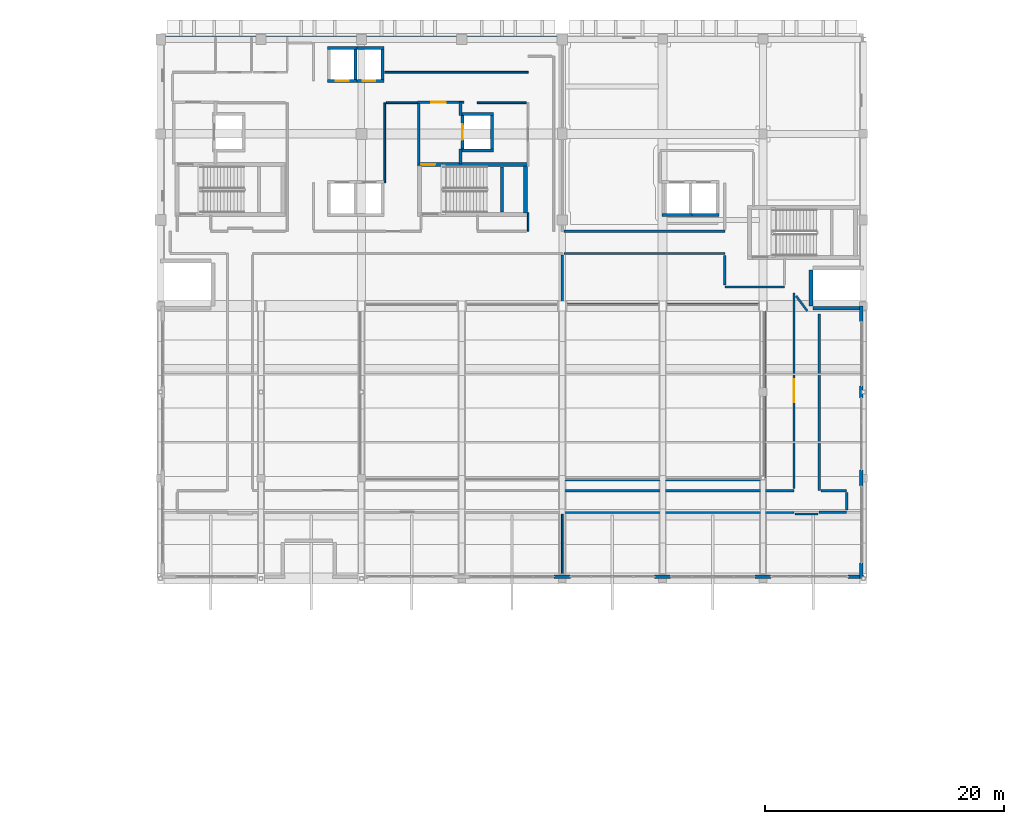
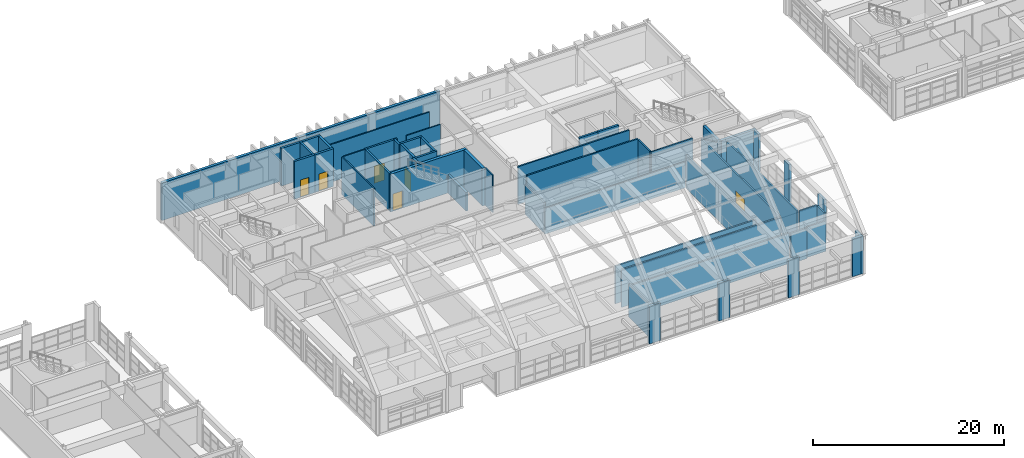
# One storey, part 90 of 103: 53 walls, 6 doors, 6 openings.
"""IFC4 building model written with IfcOpenShell, lengths in metres."""

import ifcopenshell
import ifcopenshell.guid

model = None  # the IFC model being written
_history = None  # IfcOwnerHistory: only IFC2X3 demands one
_inside = {}  # id of a spatial element -> (the spatial element, [elements in it])
_under = {}  # id of a project, library or spatial element -> (it, [spatial elements below it])
_declared = {}  # id of a project -> (the project, [libraries it declares])
_typed = {}  # id of a type object -> (the type object, [elements of that type])
_made_of = {}  # id of a material, layer set ... -> (it, [elements and type objects made of it])


def new_model(schema):
    """Start an empty IFC model of exactly this schema.

    Asked for "IFC4X3", IfcOpenShell would pick the latest addendum, in which some entities
    have other attributes; the version numbers below select the first issue.
    IFC2X3 requires an IfcOwnerHistory on every rooted entity: one is made here for all.
    """
    global model, _history
    if schema == "IFC4X3":
        model = ifcopenshell.file(schema_version=(4, 3, 0, 0))
    else:
        model = ifcopenshell.file(schema=schema)
    _inside.clear()
    _under.clear()
    _declared.clear()
    _typed.clear()
    _made_of.clear()
    _history = None
    if model.schema == "IFC2X3":
        org = make("IfcOrganization", Name="unknown")
        user = make(
            "IfcPersonAndOrganization",
            ThePerson=make("IfcPerson", FamilyName="unknown"),
            TheOrganization=org,
        )
        app = make(
            "IfcApplication",
            ApplicationDeveloper=org,
            Version="unknown",
            ApplicationFullName="unknown",
            ApplicationIdentifier="unknown",
        )
        _history = make(
            "IfcOwnerHistory",
            OwningUser=user,
            OwningApplication=app,
            ChangeAction="ADDED",
            CreationDate=0,
        )
    return model


def make(cls, **values):
    """One entity of the class cls with the attributes given. An attribute that is None is left unset."""
    return model.create_entity(
        cls, **{name: value for name, value in values.items() if value is not None}
    )


def rooted(cls, **values):
    """An entity with a GlobalId (a new one), such as an element, a storey or a relation."""
    return make(cls, GlobalId=ifcopenshell.guid.new(), OwnerHistory=_history, **values)


def si_unit(unit_type, name, prefix=None):
    """IfcSIUnit, for example si_unit("LENGTHUNIT", "METRE", prefix="MILLI")."""
    return make("IfcSIUnit", UnitType=unit_type, Prefix=prefix, Name=name)


def assignment(units):
    """IfcUnitAssignment: the units of a project."""
    return None if units is None else make("IfcUnitAssignment", Units=units)


def point(xyz):
    """IfcCartesianPoint."""
    return None if xyz is None else make("IfcCartesianPoint", Coordinates=xyz)


def direction(xyz):
    """IfcDirection."""
    return None if xyz is None else make("IfcDirection", DirectionRatios=xyz)


def frame(location, z_axis=None, x_axis=None):
    """IfcAxis2Placement3D, a coordinate frame: its origin and axes. An axis left out is left unset."""
    return make(
        "IfcAxis2Placement3D",
        Location=point(location),
        Axis=direction(z_axis),
        RefDirection=direction(x_axis),
    )


def frame_2d(location, x_axis=None):
    """IfcAxis2Placement2D, a coordinate frame in the plane: its origin and x axis."""
    return make(
        "IfcAxis2Placement2D", Location=point(location), RefDirection=direction(x_axis)
    )


def origin():
    """The frame at (0, 0, 0) with its axes left unset."""
    return frame((0.0, 0.0, 0.0))


def place(relative_to, where):
    """IfcLocalPlacement: puts the frame where relative to a parent placement (None: the world)."""
    return make(
        "IfcLocalPlacement", PlacementRelTo=relative_to, RelativePlacement=where
    )


def context(
    kind, dimensions, precision=None, world=None, true_north=None, identifier=None
):
    """IfcGeometricRepresentationContext, for example the 3D "Model" context."""
    return make(
        "IfcGeometricRepresentationContext",
        ContextIdentifier=identifier,
        ContextType=kind,
        CoordinateSpaceDimension=dimensions,
        Precision=precision,
        WorldCoordinateSystem=world,
        TrueNorth=true_north,
    )


def subcontext(parent, identifier, kind, view, scale=None):
    """IfcGeometricRepresentationSubContext, for example "Body" below "Model"."""
    return make(
        "IfcGeometricRepresentationSubContext",
        ContextIdentifier=identifier,
        ContextType=kind,
        ParentContext=parent,
        TargetScale=scale,
        TargetView=view,
    )


def project(units=None, contexts=None):
    """IfcProject with its units and contexts."""
    return rooted(
        "IfcProject",
        Name="project",
        RepresentationContexts=contexts,
        UnitsInContext=assignment(units),
    )


def spatial(cls, under=None, at=None, **own):
    """A site, building, storey or space (cls), placed at a placement, below another one or the project."""
    s = rooted(cls, ObjectPlacement=at, **own)
    if under is not None:
        _under.setdefault(under.id(), (under, []))[1].append(s)
    return s


def profile(cls, at=None, kind="AREA", **sizes):
    """A parametric profile (cls). Its sizes go by their IFC names, for example OverallWidth=200.0."""
    return make(cls, ProfileType=kind, Position=at, **sizes)


def rectangle(**sizes):
    """IfcRectangleProfileDef."""
    return profile("IfcRectangleProfileDef", **sizes)


def extrude(swept, where, along, depth):
    """IfcExtrudedAreaSolid: the profile swept, set in the frame where, extruded along a direction by depth."""
    return make(
        "IfcExtrudedAreaSolid",
        SweptArea=swept,
        Position=where,
        ExtrudedDirection=direction(along),
        Depth=depth,
    )


def shape(context_of_items, identifier, shape_type, items):
    """IfcShapeRepresentation: the items that make up one representation, for example the "Body"."""
    return make(
        "IfcShapeRepresentation",
        ContextOfItems=context_of_items,
        RepresentationIdentifier=identifier,
        RepresentationType=shape_type,
        Items=items,
    )


def material(Name=None, Category=None):
    """IfcMaterial."""
    return make("IfcMaterial", Name=Name, Category=Category)


def layer(
    of_material, thickness, ventilated=None, Name=None, Category=None, Priority=None
):
    """IfcMaterialLayer: one layer of a wall or slab, of a material (None: an air gap)."""
    return make(
        "IfcMaterialLayer",
        Material=of_material,
        LayerThickness=thickness,
        IsVentilated=ventilated,
        Name=Name,
        Category=Category,
        Priority=Priority,
    )


def layer_set(layers, Name=None):
    """IfcMaterialLayerSet."""
    return make("IfcMaterialLayerSet", MaterialLayers=layers, LayerSetName=Name)


def made_of(thing, what):
    """Note that an element or type object is made of a material, layer set ...; save() writes the relation."""
    if what is not None:
        _made_of.setdefault(what.id(), (what, []))[1].append(thing)
    return thing


def type_object(cls, material=None, **own):
    """A type object (cls), such as IfcWallType, which elements share."""
    return made_of(rooted(cls, **own), material)


def element(
    cls,
    number,
    at=None,
    inside=None,
    cuts=None,
    type_object=None,
    material=None,
    context=None,
    identifier="Body",
    shape_type=None,
    held_by="IfcProductDefinitionShape",
    body=None,
    shapes=None,
    **own,
):
    """One element of the class cls, such as IfcWall. Its Tag is "e" and its number.

    at: its placement. inside: the storey or other place that contains it. cuts: it is an
    opening in that element (IfcRelVoidsElement). A single representation is given by context,
    identifier, shape_type and body (its items); several are given by shapes. held_by: the class
    of the entity that holds the representations. save() writes the other relations.
    """
    e = rooted(cls, Tag="e%d" % number, ObjectPlacement=at, **own)
    if body is not None:
        shapes = [shape(context, identifier, shape_type, body)]
    if shapes is not None:
        e.Representation = make(held_by, Representations=shapes)
    if inside is not None:
        _inside.setdefault(inside.id(), (inside, []))[1].append(e)
    if cuts is not None:
        rooted(
            "IfcRelVoidsElement", RelatingBuildingElement=cuts, RelatedOpeningElement=e
        )
    if type_object is not None:
        _typed.setdefault(type_object.id(), (type_object, []))[1].append(e)
    return made_of(e, material)


def fill(opening, filler):
    """IfcRelFillsElement: the door or window that sits in an opening."""
    return rooted(
        "IfcRelFillsElement",
        RelatingOpeningElement=opening,
        RelatedBuildingElement=filler,
    )


def aggregate(whole, parts):
    """IfcRelAggregates: a whole, such as a stair, and the parts it consists of."""
    return rooted("IfcRelAggregates", RelatingObject=whole, RelatedObjects=parts)


def save(model, path):
    """Write the relations noted so far, then the file.

    IfcRelAggregates (storeys below a building ...), IfcRelContainedInSpatialStructure (elements
    in a storey), IfcRelDefinesByType, IfcRelAssociatesMaterial and IfcRelDeclares: one each for
    every whole, place, type object, material and project.
    """
    for whole, parts in _under.values():
        aggregate(whole, parts)
    for where, things in _inside.values():
        rooted(
            "IfcRelContainedInSpatialStructure",
            RelatedElements=things,
            RelatingStructure=where,
        )
    for kind, things in _typed.values():
        rooted("IfcRelDefinesByType", RelatedObjects=things, RelatingType=kind)
    for what, things in _made_of.values():
        rooted("IfcRelAssociatesMaterial", RelatedObjects=things, RelatingMaterial=what)
    for by, libraries in _declared.values():
        rooted("IfcRelDeclares", RelatingContext=by, RelatedDefinitions=libraries)
    model.write(path)


model = new_model("IFC4")

# Units and contexts
model_context = context("Model", 3, precision=1e-05, world=origin(), true_north=direction((0.0, 1.0)))
body_context = subcontext(model_context, "Body", "Model", "MODEL_VIEW")
ifc_project = project(units=[si_unit("LENGTHUNIT", "METRE"), si_unit("AREAUNIT", "SQUARE_METRE"), si_unit("VOLUMEUNIT", "CUBIC_METRE"), si_unit("PLANEANGLEUNIT", "RADIAN"), si_unit("MASSUNIT", "GRAM", prefix="KILO")], contexts=[model_context])

# Site, building, storey
site_placement = place(None, origin())
site = spatial("IfcSite", under=ifc_project, at=site_placement, CompositionType="ELEMENT")
building_placement = place(site_placement, origin())
building = spatial("IfcBuilding", under=site, at=building_placement, Name="Quendrovan Civic Courthouse", CompositionType="ELEMENT")
storey_placement = place(building_placement, frame((0.0, 0.0, 15.300048828125)))
storey = spatial("IfcBuildingStorey", under=building, at=storey_placement, Name="L04", CompositionType="ELEMENT", Elevation=15.300048828125)

# Walls
ifc_material_1 = material(Name="Acoustic gypsum stud partition")
ifc_layer_1 = layer(ifc_material_1, 0.139892578125, Name="Acoustic gypsum stud partition")
ifc_layer_set_1 = layer_set([ifc_layer_1], Name="Acoustic gypsum stud partition")
wall_type_1 = type_object("IfcWallType", Name="WL-CHM-140", PredefinedType="PARTITIONING", material=ifc_layer_set_1)
wall_1_placement = place(storey_placement, frame((64.35009765625, 95.39990234375, 0.0), z_axis=(0.0, 0.0, 1.0), x_axis=(0.0, -1.0, 0.0)))
element("IfcWall", 1, at=wall_1_placement, inside=storey, type_object=wall_type_1, Name="L04 Senior Judges' Chambers Suite Partition 0574", PredefinedType="PARTITIONING", context=body_context, shape_type="SweptSolid", body=[
    extrude(rectangle(XDim=1.5498046875, YDim=0.139892578125, at=frame_2d((0.77490234375, 0.0))), origin(), (0.0, 0.0, 1.0), 4.820068359375),
])
wall_2_placement = place(storey_placement, frame((52.35009765625, 97.89990234375, 0.0), z_axis=(0.0, 0.0, 1.0), x_axis=(0.0, 1.0, 0.0)))
element("IfcWall", 2, at=wall_2_placement, inside=storey, type_object=wall_type_1, Name="L04 Judges' Chambers Suite Partition 0585", PredefinedType="PARTITIONING", context=body_context, shape_type="SweptSolid", body=[
    extrude(rectangle(XDim=6.7001953125, YDim=0.139892578125, at=frame_2d((3.35009765625, 0.0))), origin(), (0.0, 0.0, 1.0), 4.820068359375),
])
wall_3_placement = place(storey_placement, frame((60.10009765625, 104.60009765625, 0.0), z_axis=(0.0, 0.0, 1.0), x_axis=(1.0, 0.0, 0.0)))
element("IfcWall", 3, at=wall_3_placement, inside=storey, type_object=wall_type_1, Name="L04 Senior Judges' Chambers Suite Partition 0604", PredefinedType="PARTITIONING", context=body_context, shape_type="SweptSolid", body=[
    extrude(rectangle(XDim=4.099853515625, YDim=0.139892578125, at=frame_2d((2.0498046875, 0.0))), origin(), (0.0, 0.0, 1.0), 4.820068359375),
])
wall_4_placement = place(storey_placement, frame((52.5, 104.60009765625, 0.0), z_axis=(0.0, 0.0, 1.0), x_axis=(1.0, 0.0, 0.0)))
element("IfcWall", 4, at=wall_4_placement, inside=storey, type_object=wall_type_1, Name="L04 Judges' Chambers Suite Partition 0629", PredefinedType="PARTITIONING", context=body_context, shape_type="SweptSolid", body=[
    extrude(rectangle(XDim=2.580078125, YDim=0.139892578125, at=frame_2d((1.2900390625, 0.0))), origin(), (0.0, 0.0, 1.0), 4.820068359375),
])

# Wall, opening, door
ifc_material_2 = material(Name="Concrete C45/55", Category="concrete")
ifc_layer_2 = layer(ifc_material_2, 0.35009765625, Name="Concrete C45/55")
ifc_layer_set_2 = layer_set([ifc_layer_2], Name="Concrete C45/55")
wall_type_2 = type_object("IfcWallType", Name="WL-CORE-350", PredefinedType="SHEAR", material=ifc_layer_set_2)
wall_5_placement = place(storey_placement, frame((64.31005859375, 99.43505859375, 0.0), z_axis=(0.0, 0.0, 1.0), x_axis=(-1.0, 0.0, 0.0)))
wall_5 = element("IfcWall", 5, at=wall_5_placement, inside=storey, type_object=wall_type_2, Name="L04 Core Shear Wall ST2-N", PredefinedType="SHEAR", context=body_context, shape_type="SweptSolid", body=[
    extrude(rectangle(XDim=9.219970703125, YDim=0.35009765625, at=frame_2d((4.60986328125, 0.0))), origin(), (0.0, 0.0, 1.0), 4.820068359375),
])
opening_1_placement = place(wall_5_placement, frame((7.719970703125, 0.0, 0.0)))
opening_1 = element("IfcOpeningElement", 6, at=opening_1_placement, cuts=wall_5, Name="Opening DFF-ST2-L04", PredefinedType="OPENING", context=body_context, shape_type="SweptSolid", body=[
    extrude(rectangle(XDim=1.199951171875, YDim=2.199951171875, at=frame_2d((0.60009765625, 1.10009765625))), frame((0.0, 0.18505859375, 0.0), z_axis=(0.0, -1.0, 0.0), x_axis=(1.0, 0.0, 0.0)), (0.0, 0.0, 1.0), 0.3701171875),
])
ifc_material_3 = material(Name="Painted galvanized hollow-metal steel", Category="steel")
door_type_1 = type_object("IfcDoorType", Name="DR-FFLOB-1200", OperationType="NOTDEFINED", PredefinedType="DOOR", material=ifc_material_3)
door_1_placement = place(opening_1_placement, origin())
door_1 = element("IfcDoor", 7, at=door_1_placement, inside=storey, type_object=door_type_1, Name="L04 Firefighting Lobby FL2 Direct Stair ST2 Door", OperationType="SINGLE_SWING_RIGHT", OverallHeight=2.199951171875, OverallWidth=1.199951171875, PredefinedType="DOOR", context=body_context, shape_type="SweptSolid", body=[
    extrude(rectangle(XDim=1.199951171875, YDim=2.199951171875, at=frame_2d((0.60009765625, 1.10009765625))), frame((0.0, 0.02490234375, 0.0), z_axis=(0.0, -1.0, 0.0), x_axis=(1.0, 0.0, 0.0)), (0.0, 0.0, 1.0), 0.050048828125),
])
fill(opening_1, door_1)

# Walls
wall_6_placement = place(storey_placement, frame((64.135009765625, 99.300048828125, 0.0), z_axis=(0.0, 0.0, 1.0), x_axis=(0.0, -1.0, 0.0)))
element("IfcWall", 8, at=wall_6_placement, inside=storey, type_object=wall_type_2, Name="L04 Core Shear Wall ST2-E", PredefinedType="SHEAR", context=body_context, shape_type="SweptSolid", body=[
    extrude(rectangle(XDim=3.900146484375, YDim=0.35009765625, at=frame_2d((1.9501953125, 0.0))), origin(), (0.0, 0.0, 1.0), 4.820068359375),
])
ifc_material_4 = material(Name="Acoustic gypsum and mineral wool partition")
ifc_layer_3 = layer(ifc_material_4, 0.179931640625, Name="Acoustic gypsum and mineral wool partition")
ifc_layer_set_3 = layer_set([ifc_layer_3], Name="Acoustic gypsum and mineral wool partition")
wall_type_3 = type_object("IfcWallType", Name="WL-CRT-AC180", PredefinedType="PARTITIONING", material=ifc_layer_set_3)
wall_7_placement = place(storey_placement, frame((67.35498046875, 70.35009765625, 0.0), z_axis=(0.0, 0.0, 1.0), x_axis=(1.0, 0.0, 0.0)))
element("IfcWall", 9, at=wall_7_placement, inside=storey, type_object=wall_type_3, Name="L04 Trial Courtroom Partition 0551", PredefinedType="PARTITIONING", context=body_context, shape_type="SweptSolid", body=[
    extrude(rectangle(XDim=19.2451171875, YDim=0.179931640625, at=frame_2d((9.62255859375, 0.0))), origin(), (0.0, 0.0, 1.0), 3.889892578125),
])
wall_8_placement = place(storey_placement, frame((86.60009765625, 72.14990234375, 0.0), z_axis=(0.0, 0.0, 1.0), x_axis=(-1.0, 0.0, 0.0)))
element("IfcWall", 10, at=wall_8_placement, inside=storey, type_object=wall_type_3, Name="L04 Trial Courtroom Partition 0552", PredefinedType="PARTITIONING", context=body_context, shape_type="SweptSolid", body=[
    extrude(rectangle(XDim=19.255126953125, YDim=0.179931640625, at=frame_2d((9.62744140625, 0.0))), origin(), (0.0, 0.0, 1.0), 4.820068359375),
])
wall_9_placement = place(storey_placement, frame((67.10009765625, 73.0400390625, 0.0), z_axis=(0.0, 0.0, 1.0), x_axis=(1.0, 0.0, 0.0)))
element("IfcWall", 11, at=wall_9_placement, inside=storey, type_object=wall_type_3, Name="L04 Trial Courtroom Partition 0556", PredefinedType="PARTITIONING", context=body_context, shape_type="SweptSolid", body=[
    extrude(rectangle(XDim=17.0, YDim=0.179931640625, at=frame_2d((8.5, 0.0))), origin(), (0.0, 0.0, 1.0), 4.820068359375),
])
wall_10_placement = place(storey_placement, frame((84.10009765625, 87.760009765625, 0.0), z_axis=(0.0, 0.0, 1.0), x_axis=(-1.0, 0.0, 0.0)))
element("IfcWall", 12, at=wall_10_placement, inside=storey, type_object=wall_type_3, Name="L04 Trial Courtroom Partition 0557", PredefinedType="PARTITIONING", context=body_context, shape_type="SweptSolid", body=[
    extrude(rectangle(XDim=17.0, YDim=0.179931640625, at=frame_2d((8.5, 0.0))), origin(), (0.0, 0.0, 1.0), 3.2900390625),
])

# Wall, opening, door
wall_11_placement = place(storey_placement, frame((86.60009765625, 88.669921875, 0.0), z_axis=(0.0, 0.0, 1.0), x_axis=(0.0, -1.0, 0.0)))
wall_11 = element("IfcWall", 13, at=wall_11_placement, inside=storey, type_object=wall_type_3, Name="L04 Trial Courtroom Partition 0561", PredefinedType="PARTITIONING", context=body_context, shape_type="SweptSolid", body=[
    extrude(rectangle(XDim=16.349853515625, YDim=0.179931640625, at=frame_2d((8.1748046875, 0.0))), origin(), (0.0, 0.0, 1.0), 4.820068359375),
])
opening_2_placement = place(wall_11_placement, frame((7.215087890625, 0.0, 0.0)))
opening_2 = element("IfcOpeningElement", 14, at=opening_2_placement, cuts=wall_11, Name="Opening D-L04-082", PredefinedType="OPENING", context=body_context, shape_type="SweptSolid", body=[
    extrude(rectangle(XDim=1.919921875, YDim=2.550048828125, at=frame_2d((0.9599609375, 1.27490234375))), frame((0.0, 0.10009765625, 0.0), z_axis=(0.0, -1.0, 0.0), x_axis=(1.0, 0.0, 0.0)), (0.0, 0.0, 1.0), 0.199951171875),
])
ifc_material_5 = material(Name="Acoustic solid Western Red Cedar timber door", Category="wood")
door_type_2 = type_object("IfcDoorType", Name="DR-CRT-DBL1920", OperationType="NOTDEFINED", PredefinedType="DOOR", material=ifc_material_5)
door_2_placement = place(opening_2_placement, origin())
door_2 = element("IfcDoor", 15, at=door_2_placement, inside=storey, type_object=door_type_2, Name="L04 Trial Courtroom Door D-L04-082", OperationType="SINGLE_SWING_LEFT", OverallHeight=2.550048828125, OverallWidth=1.919921875, PredefinedType="DOOR", context=body_context, shape_type="SweptSolid", body=[
    extrude(rectangle(XDim=1.919921875, YDim=2.550048828125, at=frame_2d((0.9599609375, 1.27490234375))), frame((0.0, 0.02490234375, 0.0), z_axis=(0.0, -1.0, 0.0), x_axis=(1.0, 0.0, 0.0)), (0.0, 0.0, 1.0), 0.050048828125),
])
fill(opening_2, door_2)

# Walls
wall_12_placement = place(storey_placement, frame((88.699951171875, 72.14990234375, 0.0), z_axis=(0.0, 0.0, 1.0), x_axis=(0.0, 1.0, 0.0)))
element("IfcWall", 16, at=wall_12_placement, inside=storey, type_object=wall_type_3, Name="L04 Trial Courtroom Partition 0564", PredefinedType="PARTITIONING", context=body_context, shape_type="SweptSolid", body=[
    extrude(rectangle(XDim=14.780029296875, YDim=0.179931640625, at=frame_2d((7.39013671875, 0.0))), origin(), (0.0, 0.0, 1.0), 4.820068359375),
])
wall_13_placement = place(storey_placement, frame((84.159912109375, 73.198974609375, 0.0), z_axis=(0.0, 0.0, 1.0), x_axis=(0.0, 1.0, 0.0)))
element("IfcWall", 17, at=wall_13_placement, inside=storey, type_object=wall_type_3, Name="L04 Trial Courtroom Partition 0566", PredefinedType="PARTITIONING", context=body_context, shape_type="SweptSolid", body=[
    extrude(rectangle(XDim=14.402099609375, YDim=0.179931640625, at=frame_2d((7.201171875, 0.0))), origin(), (0.0, 0.0, 1.0), 4.239990234375),
])
wall_14_placement = place(storey_placement, frame((67.344970703125, 92.0, 0.0), z_axis=(0.0, 0.0, 1.0), x_axis=(1.0, 0.0, 0.0)))
element("IfcWall", 18, at=wall_14_placement, inside=storey, type_object=wall_type_3, Name="L04 Trial Courtroom Partition 0568", PredefinedType="PARTITIONING", context=body_context, shape_type="SweptSolid", body=[
    extrude(rectangle(XDim=13.455078125, YDim=0.179931640625, at=frame_2d((6.7275390625, 0.0))), origin(), (0.0, 0.0, 1.0), 4.820068359375),
])
wall_15_placement = place(storey_placement, frame((80.800048828125, 93.85009765625, 0.0), z_axis=(0.0, 0.0, 1.0), x_axis=(-1.0, 0.0, 0.0)))
element("IfcWall", 19, at=wall_15_placement, inside=storey, type_object=wall_type_3, Name="L04 Trial Courtroom Partition 0569", PredefinedType="PARTITIONING", context=body_context, shape_type="SweptSolid", body=[
    extrude(rectangle(XDim=13.445068359375, YDim=0.179931640625, at=frame_2d((6.72265625, 0.0))), origin(), (0.0, 0.0, 1.0), 4.820068359375),
])
wall_16_placement = place(storey_placement, frame((80.800048828125, 89.199951171875, 0.0), z_axis=(0.0, 0.0, 1.0), x_axis=(1.0, 0.0, 0.0)))
element("IfcWall", 20, at=wall_16_placement, inside=storey, type_object=wall_type_3, Name="L04 Trial Courtroom Partition 0597", PredefinedType="PARTITIONING", context=body_context, shape_type="SweptSolid", body=[
    extrude(rectangle(XDim=5.0, YDim=0.179931640625, at=frame_2d((2.5, 0.0))), origin(), (0.0, 0.0, 1.0), 4.820068359375),
])
wall_17_placement = place(storey_placement, frame((67.199951171875, 87.929931640625, 0.0), z_axis=(0.0, 0.0, 1.0), x_axis=(0.0, 1.0, 0.0)))
element("IfcWall", 21, at=wall_17_placement, inside=storey, type_object=wall_type_3, Name="L04 Trial Courtroom Partition 0602", PredefinedType="PARTITIONING", context=body_context, shape_type="SweptSolid", body=[
    extrude(rectangle(XDim=3.925048828125, YDim=0.179931640625, at=frame_2d((1.96240234375, 0.0))), origin(), (0.0, 0.0, 1.0), 3.849853515625),
])
wall_18_placement = place(storey_placement, frame((80.800048828125, 91.830078125, 0.0), z_axis=(0.0, 0.0, 1.0), x_axis=(0.0, -1.0, 0.0)))
element("IfcWall", 22, at=wall_18_placement, inside=storey, type_object=wall_type_3, Name="L04 Trial Courtroom Partition 0626", PredefinedType="PARTITIONING", context=body_context, shape_type="SweptSolid", body=[
    extrude(rectangle(XDim=2.4599609375, YDim=0.179931640625, at=frame_2d((1.22998046875, 0.0))), origin(), (0.0, 0.0, 1.0), 4.820068359375),
])
wall_19_placement = place(storey_placement, frame((88.699951171875, 70.35009765625, 0.0), z_axis=(0.0, 0.0, 1.0), x_axis=(1.0, 0.0, 0.0)))
element("IfcWall", 23, at=wall_19_placement, inside=storey, type_object=wall_type_3, Name="L04 Trial Courtroom Partition 0634", PredefinedType="PARTITIONING", context=body_context, shape_type="SweptSolid", body=[
    extrude(rectangle(XDim=2.300048828125, YDim=0.179931640625, at=frame_2d((1.14990234375, 0.0))), origin(), (0.0, 0.0, 1.0), 3.889892578125),
])
wall_20_placement = place(storey_placement, frame((91.0, 72.14990234375, 0.0), z_axis=(0.0, 0.0, 1.0), x_axis=(-1.0, 0.0, 0.0)))
element("IfcWall", 24, at=wall_20_placement, inside=storey, type_object=wall_type_3, Name="L04 Trial Courtroom Partition 0635", PredefinedType="PARTITIONING", context=body_context, shape_type="SweptSolid", body=[
    extrude(rectangle(XDim=2.1298828125, YDim=0.179931640625, at=frame_2d((1.06494140625, 0.0))), origin(), (0.0, 0.0, 1.0), 4.820068359375),
])
wall_21_placement = place(storey_placement, frame((86.679931640625, 70.199951171875, 0.0), z_axis=(0.0, 0.0, 1.0), x_axis=(1.0, 0.0, 0.0)))
element("IfcWall", 25, at=wall_21_placement, inside=storey, type_object=wall_type_3, Name="L04 Trial Courtroom Partition 0641", PredefinedType="PARTITIONING", context=body_context, shape_type="SweptSolid", body=[
    extrude(rectangle(XDim=1.940185546875, YDim=0.179931640625, at=frame_2d((0.97021484375, 0.0))), origin(), (0.0, 0.0, 1.0), 3.889892578125),
])
wall_22_placement = place(storey_placement, frame((87.699951171875, 87.18994140625, 0.0), z_axis=(0.0, 0.0, 1.0), x_axis=(-0.596436431058, 0.802660316514, 0.0)))
element("IfcWall", 26, at=wall_22_placement, inside=storey, type_object=wall_type_3, Name="L04 Trial Courtroom Partition 0649", PredefinedType="PARTITIONING", context=body_context, shape_type="SweptSolid", body=[
    extrude(rectangle(XDim=1.55908203125, YDim=0.179931640625, at=frame_2d((0.779541015625, 0.0))), origin(), (0.0, 0.0, 1.0), 4.820068359375),
])
wall_23_placement = place(storey_placement, frame((91.0, 70.52001953125, 0.0), z_axis=(0.0, 0.0, 1.0), x_axis=(0.0, 1.0, 0.0)))
element("IfcWall", 27, at=wall_23_placement, inside=storey, type_object=wall_type_3, Name="L04 Trial Courtroom Partition 0651", PredefinedType="PARTITIONING", context=body_context, shape_type="SweptSolid", body=[
    extrude(rectangle(XDim=1.4599609375, YDim=0.179931640625, at=frame_2d((0.72998046875, 0.0))), origin(), (0.0, 0.0, 1.0), 4.820068359375),
])
ifc_material_6 = material(Name="Precast concrete C45/55", Category="concrete")
ifc_layer_4 = layer(ifc_material_6, 0.2900390625, Name="Precast concrete C45/55")
ifc_layer_set_4 = layer_set([ifc_layer_4], Name="Precast concrete C45/55")
wall_type_4 = type_object("IfcWallType", Name="WL-EXT-PC290", PredefinedType="SOLIDWALL", material=ifc_layer_set_4)
wall_24_placement = place(storey_placement, frame((92.235107421875, 87.60009765625, 0.0), z_axis=(0.0, 0.0, 1.0), x_axis=(0.0, -1.0, 0.0)))
element("IfcWall", 28, at=wall_24_placement, inside=storey, type_object=wall_type_4, Name="L04 Exterior Pier Wall 369", PredefinedType="SOLIDWALL", context=body_context, shape_type="SweptSolid", body=[
    extrude(rectangle(XDim=1.300048828125, YDim=0.2900390625, at=frame_2d((0.64990234375, 0.0))), origin(), (0.0, 0.0, 1.0), 4.820068359375),
])
wall_25_placement = place(storey_placement, frame((92.235107421875, 80.89990234375, 0.0), z_axis=(0.0, 0.0, 1.0), x_axis=(0.0, -1.0, 0.0)))
element("IfcWall", 29, at=wall_25_placement, inside=storey, type_object=wall_type_4, Name="L04 Exterior Pier Wall 370", PredefinedType="SOLIDWALL", context=body_context, shape_type="SweptSolid", body=[
    extrude(rectangle(XDim=1.0, YDim=0.2900390625, at=frame_2d((0.5, 0.0))), origin(), (0.0, 0.0, 1.0), 4.820068359375),
])
wall_26_placement = place(storey_placement, frame((92.235107421875, 73.875, 0.0), z_axis=(0.0, 0.0, 1.0), x_axis=(0.0, -1.0, 0.0)))
element("IfcWall", 30, at=wall_26_placement, inside=storey, type_object=wall_type_4, Name="L04 Exterior Pier Wall 371", PredefinedType="SOLIDWALL", context=body_context, shape_type="SweptSolid", body=[
    extrude(rectangle(XDim=1.35009765625, YDim=0.2900390625, at=frame_2d((0.675048828125, 0.0))), origin(), (0.0, 0.0, 1.0), 4.820068359375),
])
wall_27_placement = place(storey_placement, frame((92.235107421875, 66.10009765625, 0.0), z_axis=(0.0, 0.0, 1.0), x_axis=(0.0, -1.0, 0.0)))
element("IfcWall", 31, at=wall_27_placement, inside=storey, type_object=wall_type_4, Name="L04 Exterior Pier Wall 372", PredefinedType="SOLIDWALL", context=body_context, shape_type="SweptSolid", body=[
    extrude(rectangle(XDim=1.300048828125, YDim=0.2900390625, at=frame_2d((0.64990234375, 0.0))), origin(), (0.0, 0.0, 1.0), 4.820068359375),
])
wall_28_placement = place(storey_placement, frame((92.39990234375, 64.965087890625, 0.0), z_axis=(0.0, 0.0, 1.0), x_axis=(-1.0, 0.0, 0.0)))
element("IfcWall", 32, at=wall_28_placement, inside=storey, type_object=wall_type_4, Name="L04 Exterior Pier Wall 373", PredefinedType="SOLIDWALL", context=body_context, shape_type="SweptSolid", body=[
    extrude(rectangle(XDim=1.2998046875, YDim=0.2900390625, at=frame_2d((0.64990234375, 0.0))), origin(), (0.0, 0.0, 1.0), 4.820068359375),
])
wall_29_placement = place(storey_placement, frame((84.675048828125, 64.965087890625, 0.0), z_axis=(0.0, 0.0, 1.0), x_axis=(-1.0, 0.0, 0.0)))
element("IfcWall", 33, at=wall_29_placement, inside=storey, type_object=wall_type_4, Name="L04 Exterior Pier Wall 374", PredefinedType="SOLIDWALL", context=body_context, shape_type="SweptSolid", body=[
    extrude(rectangle(XDim=1.35009765625, YDim=0.2900390625, at=frame_2d((0.675048828125, 0.0))), origin(), (0.0, 0.0, 1.0), 4.820068359375),
])
wall_30_placement = place(storey_placement, frame((76.27490234375, 64.965087890625, 0.0), z_axis=(0.0, 0.0, 1.0), x_axis=(-1.0, 0.0, 0.0)))
element("IfcWall", 34, at=wall_30_placement, inside=storey, type_object=wall_type_4, Name="L04 Exterior Pier Wall 375", PredefinedType="SOLIDWALL", context=body_context, shape_type="SweptSolid", body=[
    extrude(rectangle(XDim=1.349853515625, YDim=0.2900390625, at=frame_2d((0.6748046875, 0.0))), origin(), (0.0, 0.0, 1.0), 4.820068359375),
])
wall_31_placement = place(storey_placement, frame((67.875, 64.965087890625, 0.0), z_axis=(0.0, 0.0, 1.0), x_axis=(-1.0, 0.0, 0.0)))
element("IfcWall", 35, at=wall_31_placement, inside=storey, type_object=wall_type_4, Name="L04 Exterior Pier Wall 376", PredefinedType="SOLIDWALL", context=body_context, shape_type="SweptSolid", body=[
    extrude(rectangle(XDim=1.35009765625, YDim=0.2900390625, at=frame_2d((0.675048828125, 0.0))), origin(), (0.0, 0.0, 1.0), 4.820068359375),
])
ifc_layer_5 = layer(ifc_material_6, 0.320068359375, Name="Precast concrete C45/55")
ifc_layer_set_5 = layer_set([ifc_layer_5], Name="Precast concrete C45/55")
wall_type_5 = type_object("IfcWallType", Name="WL-EXT-PC320", PredefinedType="SOLIDWALL", material=ifc_layer_set_5)
wall_32_placement = place(storey_placement, frame((33.60009765625, 110.02001953125, 0.0), z_axis=(0.0, 0.0, 1.0), x_axis=(1.0, 0.0, 0.0)))
element("IfcWall", 36, at=wall_32_placement, inside=storey, type_object=wall_type_5, Name="L04 Exterior Precast Concrete Wall 363", PredefinedType="SOLIDWALL", context=body_context, shape_type="SweptSolid", body=[
    extrude(rectangle(XDim=33.599853515625, YDim=0.320068359375, at=frame_2d((16.7998046875, 0.0))), origin(), (0.0, 0.0, 1.0), 4.820068359375),
])
wall_33_placement = place(storey_placement, frame((88.02001953125, 90.60009765625, 0.0), z_axis=(0.0, 0.0, 1.0), x_axis=(0.0, -1.0, 0.0)))
element("IfcWall", 37, at=wall_33_placement, inside=storey, type_object=wall_type_5, Name="L04 Exterior Precast Concrete Wall 367", PredefinedType="SOLIDWALL", context=body_context, shape_type="SweptSolid", body=[
    extrude(rectangle(XDim=3.0, YDim=0.320068359375, at=frame_2d((1.5, 0.0))), origin(), (0.0, 0.0, 1.0), 4.820068359375),
])
wall_34_placement = place(storey_placement, frame((88.199951171875, 87.419921875, 0.0), z_axis=(0.0, 0.0, 1.0), x_axis=(1.0, 0.0, 0.0)))
element("IfcWall", 38, at=wall_34_placement, inside=storey, type_object=wall_type_5, Name="L04 Exterior Precast Concrete Wall 368", PredefinedType="SOLIDWALL", context=body_context, shape_type="SweptSolid", body=[
    extrude(rectangle(XDim=4.199951171875, YDim=0.320068359375, at=frame_2d((2.10009765625, 0.0))), origin(), (0.0, 0.0, 1.0), 4.820068359375),
])

# Wall, opening, door
ifc_material_7 = material(Name="Concrete C40/50", Category="concrete")
ifc_layer_6 = layer(ifc_material_7, 0.22998046875, Name="Concrete C40/50")
ifc_layer_set_6 = layer_set([ifc_layer_6], Name="Concrete C40/50")
wall_type_6 = type_object("IfcWallType", Name="WL-FFLOB-230", PredefinedType="PARTITIONING", material=ifc_layer_set_6)
wall_35_placement = place(storey_placement, frame((55.090087890625, 104.64990234375, 0.0), z_axis=(0.0, 0.0, 1.0), x_axis=(1.0, 0.0, 0.0)))
wall_35 = element("IfcWall", 39, at=wall_35_placement, inside=storey, type_object=wall_type_6, Name="L04 Firefighting Lift Lobby FL2 Wall N", PredefinedType="PARTITIONING", context=body_context, shape_type="SweptSolid", body=[
    extrude(rectangle(XDim=3.889892578125, YDim=0.22998046875, at=frame_2d((1.94482421875, 0.0))), origin(), (0.0, 0.0, 1.0), 4.820068359375),
])
opening_3_placement = place(wall_35_placement, frame((1.14990234375, 0.0, 0.0)))
opening_3 = element("IfcOpeningElement", 40, at=opening_3_placement, cuts=wall_35, Name="Opening DF-FL2-L04N", PredefinedType="OPENING", context=body_context, shape_type="SweptSolid", body=[
    extrude(rectangle(XDim=1.199951171875, YDim=2.199951171875, at=frame_2d((0.60009765625, 1.10009765625))), frame((0.0, 0.125, 0.0), z_axis=(0.0, -1.0, 0.0), x_axis=(1.0, 0.0, 0.0)), (0.0, 0.0, 1.0), 0.25),
])
door_3_placement = place(opening_3_placement, origin())
door_3 = element("IfcDoor", 41, at=door_3_placement, inside=storey, type_object=door_type_1, Name="L04 Firefighting Lobby FL2 Fire Door N", OperationType="SINGLE_SWING_LEFT", OverallHeight=2.199951171875, OverallWidth=1.199951171875, PredefinedType="DOOR", context=body_context, shape_type="SweptSolid", body=[
    extrude(rectangle(XDim=1.199951171875, YDim=2.199951171875, at=frame_2d((0.60009765625, 1.10009765625))), frame((0.0, 0.02490234375, 0.0), z_axis=(0.0, -1.0, 0.0), x_axis=(1.0, 0.0, 0.0)), (0.0, 0.0, 1.0), 0.050048828125),
])
fill(opening_3, door_3)

# Walls
wall_36_placement = place(storey_placement, frame((55.199951171875, 99.5, 0.0), z_axis=(0.0, 0.0, 1.0), x_axis=(0.0, 1.0, 0.0)))
element("IfcWall", 42, at=wall_36_placement, inside=storey, type_object=wall_type_6, Name="L04 Firefighting Lift Lobby FL2 Wall W", PredefinedType="PARTITIONING", context=body_context, shape_type="SweptSolid", body=[
    extrude(rectangle(XDim=5.260009765625, YDim=0.22998046875, at=frame_2d((2.6298828125, 0.0))), origin(), (0.0, 0.0, 1.0), 4.820068359375),
])
wall_37_placement = place(storey_placement, frame((58.699951171875, 104.64990234375, 0.0), z_axis=(0.0, 0.0, 1.0), x_axis=(0.0, -1.0, 0.0)))
element("IfcWall", 43, at=wall_37_placement, inside=storey, type_object=wall_type_6, Name="L04 Firefighting Lift Lobby FL2 Wall EN", PredefinedType="PARTITIONING", context=body_context, shape_type="SweptSolid", body=[
    extrude(rectangle(XDim=1.099853515625, YDim=0.22998046875, at=frame_2d((0.5498046875, 0.0))), origin(), (0.0, 0.0, 1.0), 4.820068359375),
])
wall_38_placement = place(storey_placement, frame((58.699951171875, 100.75, 0.0), z_axis=(0.0, 0.0, 1.0), x_axis=(0.0, -1.0, 0.0)))
element("IfcWall", 44, at=wall_38_placement, inside=storey, type_object=wall_type_6, Name="L04 Firefighting Lift Lobby FL2 Wall ES", PredefinedType="PARTITIONING", context=body_context, shape_type="SweptSolid", body=[
    extrude(rectangle(XDim=1.25, YDim=0.22998046875, at=frame_2d((0.625, 0.0))), origin(), (0.0, 0.0, 1.0), 4.820068359375),
])
ifc_layer_7 = layer(ifc_material_1, 0.14990234375, Name="Acoustic gypsum stud partition")
ifc_layer_set_7 = layer_set([ifc_layer_7], Name="Acoustic gypsum stud partition")
wall_type_7 = type_object("IfcWallType", Name="WL-JURY-150", PredefinedType="PARTITIONING", material=ifc_layer_set_7)
wall_39_placement = place(storey_placement, frame((64.35009765625, 107.14990234375, 0.0), z_axis=(0.0, 0.0, 1.0), x_axis=(-1.0, 0.0, 0.0)))
element("IfcWall", 45, at=wall_39_placement, inside=storey, type_object=wall_type_7, Name="L04 Jury Room Partition 0570", PredefinedType="PARTITIONING", context=body_context, shape_type="SweptSolid", body=[
    extrude(rectangle(XDim=12.0, YDim=0.14990234375, at=frame_2d((6.0, 0.0))), origin(), (0.0, 0.0, 1.0), 4.820068359375),
])
wall_40_placement = place(storey_placement, frame((67.199951171875, 70.195068359375, 0.0), z_axis=(0.0, 0.0, 1.0), x_axis=(0.0, -1.0, 0.0)))
element("IfcWall", 46, at=wall_40_placement, inside=storey, type_object=wall_type_7, Name="L04 Jury Room Partition 0592", PredefinedType="PARTITIONING", context=body_context, shape_type="SweptSolid", body=[
    extrude(rectangle(XDim=5.3349609375, YDim=0.14990234375, at=frame_2d((2.66748046875, 0.0))), origin(), (0.0, 0.0, 1.0), 4.239990234375),
])
ifc_layer_8 = layer(ifc_material_2, 0.25, Name="Concrete C45/55")
ifc_layer_set_8 = layer_set([ifc_layer_8], Name="Concrete C45/55")
wall_type_8 = type_object("IfcWallType", Name="WL-SHAFT-250", PredefinedType="SHEAR", material=ifc_layer_set_8)
wall_41_placement = place(storey_placement, frame((62.14990234375, 95.449951171875, 0.0), z_axis=(0.0, 0.0, 1.0), x_axis=(0.0, 1.0, 0.0)))
element("IfcWall", 47, at=wall_41_placement, inside=storey, type_object=wall_type_8, Name="L04 Stair ST2 Mid-Landing Bearing Wall", PredefinedType="SHEAR", context=body_context, shape_type="SweptSolid", body=[
    extrude(rectangle(XDim=3.800048828125, YDim=0.25, at=frame_2d((1.89990234375, 0.0))), origin(), (0.0, 0.0, 1.0), 2.369873046875),
])
for number, where, z_axis, x_axis, name in (
    (48, (75.550048828125, 95.22509765625, 0.0), (0.0, 0.0, 1.0), (1.0, 0.0, 0.0), "L04 Lift Hoistway Wall PL1 -Y"),
    (49, (77.800048828125, 95.22509765625, 0.0), (0.0, 0.0, 1.0), (1.0, 0.0, 0.0), "L04 Lift Hoistway Wall PL2 -Y"),
):
    element("IfcWall", number, at=place(storey_placement, frame(where, z_axis=z_axis, x_axis=x_axis)), inside=storey, type_object=wall_type_8, Name=name, PredefinedType="SHEAR", context=body_context, shape_type="SweptSolid", body=[
        extrude(rectangle(XDim=2.5, YDim=0.25, at=frame_2d((1.25, 0.0))), origin(), (0.0, 0.0, 1.0), 4.820068359375),
    ])

# Wall, opening, door
wall_42_placement = place(storey_placement, frame((47.550048828125, 106.425048828125, 0.0), z_axis=(0.0, 0.0, 1.0), x_axis=(1.0, 0.0, 0.0)))
wall_42 = element("IfcWall", 50, at=wall_42_placement, inside=storey, type_object=wall_type_8, Name="L04 Lift Hoistway Wall JL1 -Y", PredefinedType="SHEAR", context=body_context, shape_type="SweptSolid", body=[
    extrude(rectangle(XDim=2.5, YDim=0.25, at=frame_2d((1.25, 0.0))), origin(), (0.0, 0.0, 1.0), 4.820068359375),
])
opening_4_placement = place(wall_42_placement, frame((0.719970703125, 0.0, 0.0)))
opening_4 = element("IfcOpeningElement", 51, at=opening_4_placement, cuts=wall_42, Name="Opening LD-JL1-L04", PredefinedType="OPENING", context=body_context, shape_type="SweptSolid", body=[
    extrude(rectangle(XDim=1.06005859375, YDim=2.199951171875, at=frame_2d((0.530029296875, 1.10009765625))), frame((0.0, 0.135009765625, 0.0), z_axis=(0.0, -1.0, 0.0), x_axis=(1.0, 0.0, 0.0)), (0.0, 0.0, 1.0), 0.27001953125),
])
ifc_material_8 = material(Name="Brushed bronze-anodised stainless steel", Category="steel")
door_type_3 = type_object("IfcDoorType", Name="DR-LIFT-LD-JL", OperationType="NOTDEFINED", PredefinedType="DOOR", material=ifc_material_8)
door_4_placement = place(opening_4_placement, origin())
door_4 = element("IfcDoor", 52, at=door_4_placement, inside=storey, type_object=door_type_3, Name="L04 Lift JL1 Sliding Landing Door", OperationType="SLIDING_TO_LEFT", OverallHeight=2.199951171875, OverallWidth=1.06005859375, PredefinedType="DOOR", context=body_context, shape_type="SweptSolid", body=[
    extrude(rectangle(XDim=1.06005859375, YDim=2.199951171875, at=frame_2d((0.530029296875, 1.10009765625))), frame((0.0, 0.02490234375, 0.0), z_axis=(0.0, -1.0, 0.0), x_axis=(1.0, 0.0, 0.0)), (0.0, 0.0, 1.0), 0.050048828125),
])
fill(opening_4, door_4)

# Walls
for number, where, z_axis, x_axis, name in (
    (53, (50.050048828125, 109.175048828125, 0.0), (0.0, 0.0, 1.0), (-1.0, 0.0, 0.0), "L04 Lift Hoistway Wall JL1 +Y"),
    (54, (49.925048828125, 109.050048828125, 0.0), (0.0, 0.0, 1.0), (0.0, -1.0, 0.0), "L04 Lift Hoistway Wall JL1 +X"),
):
    element("IfcWall", number, at=place(storey_placement, frame(where, z_axis=z_axis, x_axis=x_axis)), inside=storey, type_object=wall_type_8, Name=name, PredefinedType="SHEAR", context=body_context, shape_type="SweptSolid", body=[
        extrude(rectangle(XDim=2.5, YDim=0.25, at=frame_2d((1.25, 0.0))), origin(), (0.0, 0.0, 1.0), 4.820068359375),
    ])

# Wall, opening, door
wall_43_placement = place(storey_placement, frame((49.800048828125, 106.425048828125, 0.0), z_axis=(0.0, 0.0, 1.0), x_axis=(1.0, 0.0, 0.0)))
wall_43 = element("IfcWall", 55, at=wall_43_placement, inside=storey, type_object=wall_type_8, Name="L04 Lift Hoistway Wall JL2 -Y", PredefinedType="SHEAR", context=body_context, shape_type="SweptSolid", body=[
    extrude(rectangle(XDim=2.5, YDim=0.25, at=frame_2d((1.25, 0.0))), origin(), (0.0, 0.0, 1.0), 4.820068359375),
])
opening_5_placement = place(wall_43_placement, frame((0.719970703125, 0.0, 0.0)))
opening_5 = element("IfcOpeningElement", 56, at=opening_5_placement, cuts=wall_43, Name="Opening LD-JL2-L04", PredefinedType="OPENING", context=body_context, shape_type="SweptSolid", body=[
    extrude(rectangle(XDim=1.06005859375, YDim=2.199951171875, at=frame_2d((0.530029296875, 1.10009765625))), frame((0.0, 0.135009765625, 0.0), z_axis=(0.0, -1.0, 0.0), x_axis=(1.0, 0.0, 0.0)), (0.0, 0.0, 1.0), 0.27001953125),
])
door_5_placement = place(opening_5_placement, origin())
door_5 = element("IfcDoor", 57, at=door_5_placement, inside=storey, type_object=door_type_3, Name="L04 Lift JL2 Sliding Landing Door", OperationType="SLIDING_TO_LEFT", OverallHeight=2.199951171875, OverallWidth=1.06005859375, PredefinedType="DOOR", context=body_context, shape_type="SweptSolid", body=[
    extrude(rectangle(XDim=1.06005859375, YDim=2.199951171875, at=frame_2d((0.530029296875, 1.10009765625))), frame((0.0, 0.02490234375, 0.0), z_axis=(0.0, -1.0, 0.0), x_axis=(1.0, 0.0, 0.0)), (0.0, 0.0, 1.0), 0.050048828125),
])
fill(opening_5, door_5)

# Walls
for number, where, z_axis, x_axis, name in (
    (58, (52.300048828125, 109.175048828125, 0.0), (0.0, 0.0, 1.0), (-1.0, 0.0, 0.0), "L04 Lift Hoistway Wall JL2 +Y"),
    (59, (52.175048828125, 109.050048828125, 0.0), (0.0, 0.0, 1.0), (0.0, -1.0, 0.0), "L04 Lift Hoistway Wall JL2 +X"),
):
    element("IfcWall", number, at=place(storey_placement, frame(where, z_axis=z_axis, x_axis=x_axis)), inside=storey, type_object=wall_type_8, Name=name, PredefinedType="SHEAR", context=body_context, shape_type="SweptSolid", body=[
        extrude(rectangle(XDim=2.5, YDim=0.25, at=frame_2d((1.25, 0.0))), origin(), (0.0, 0.0, 1.0), 4.820068359375),
    ])
for number, where, z_axis, x_axis, name in (
    (60, (58.75, 100.625, 0.0), (0.0, 0.0, 1.0), (1.0, 0.0, 0.0), "L04 Lift Hoistway Wall FL2 -Y"),
    (61, (61.449951171875, 103.675048828125, 0.0), (0.0, 0.0, 1.0), (-1.0, 0.0, 0.0), "L04 Lift Hoistway Wall FL2 +Y"),
):
    element("IfcWall", number, at=place(storey_placement, frame(where, z_axis=z_axis, x_axis=x_axis)), inside=storey, type_object=wall_type_8, Name=name, PredefinedType="SHEAR", context=body_context, shape_type="SweptSolid", body=[
        extrude(rectangle(XDim=2.699951171875, YDim=0.25, at=frame_2d((1.35009765625, 0.0))), origin(), (0.0, 0.0, 1.0), 4.820068359375),
    ])

# Wall, opening, door
wall_44_placement = place(storey_placement, frame((58.875, 100.75, 0.0), z_axis=(0.0, 0.0, 1.0), x_axis=(0.0, 1.0, 0.0)))
wall_44 = element("IfcWall", 62, at=wall_44_placement, inside=storey, type_object=wall_type_8, Name="L04 Lift Hoistway Wall FL2 -X", PredefinedType="SHEAR", context=body_context, shape_type="SweptSolid", body=[
    extrude(rectangle(XDim=2.800048828125, YDim=0.25, at=frame_2d((1.39990234375, 0.0))), origin(), (0.0, 0.0, 1.0), 4.820068359375),
])
opening_6_placement = place(wall_44_placement, frame((0.75, 0.0, 0.0)))
opening_6 = element("IfcOpeningElement", 63, at=opening_6_placement, cuts=wall_44, Name="Opening LD-FL2-L04", PredefinedType="OPENING", context=body_context, shape_type="SweptSolid", body=[
    extrude(rectangle(XDim=1.300048828125, YDim=2.25, at=frame_2d((0.64990234375, 1.125))), frame((0.0, 0.135009765625, 0.0), z_axis=(0.0, -1.0, 0.0), x_axis=(1.0, 0.0, 0.0)), (0.0, 0.0, 1.0), 0.27001953125),
])
ifc_material_9 = material(Name="Smoke-tight fire-service stainless steel", Category="steel")
door_type_4 = type_object("IfcDoorType", Name="DR-LIFT-LD-FL", OperationType="NOTDEFINED", PredefinedType="DOOR", material=ifc_material_9)
door_6_placement = place(opening_6_placement, origin())
door_6 = element("IfcDoor", 64, at=door_6_placement, inside=storey, type_object=door_type_4, Name="L04 Lift FL2 Sliding Landing Door", OperationType="SLIDING_TO_LEFT", OverallHeight=2.25, OverallWidth=1.300048828125, PredefinedType="DOOR", context=body_context, shape_type="SweptSolid", body=[
    extrude(rectangle(XDim=1.300048828125, YDim=2.25, at=frame_2d((0.64990234375, 1.125))), frame((0.0, 0.02490234375, 0.0), z_axis=(0.0, -1.0, 0.0), x_axis=(1.0, 0.0, 0.0)), (0.0, 0.0, 1.0), 0.050048828125),
])
fill(opening_6, door_6)

# Wall
wall_45_placement = place(storey_placement, frame((61.324951171875, 103.550048828125, 0.0), z_axis=(0.0, 0.0, 1.0), x_axis=(0.0, -1.0, 0.0)))
element("IfcWall", 65, at=wall_45_placement, inside=storey, type_object=wall_type_8, Name="L04 Lift Hoistway Wall FL2 +X", PredefinedType="SHEAR", context=body_context, shape_type="SweptSolid", body=[
    extrude(rectangle(XDim=2.800048828125, YDim=0.25, at=frame_2d((1.39990234375, 0.0))), origin(), (0.0, 0.0, 1.0), 4.820068359375),
])

save(model, "model.ifc")
